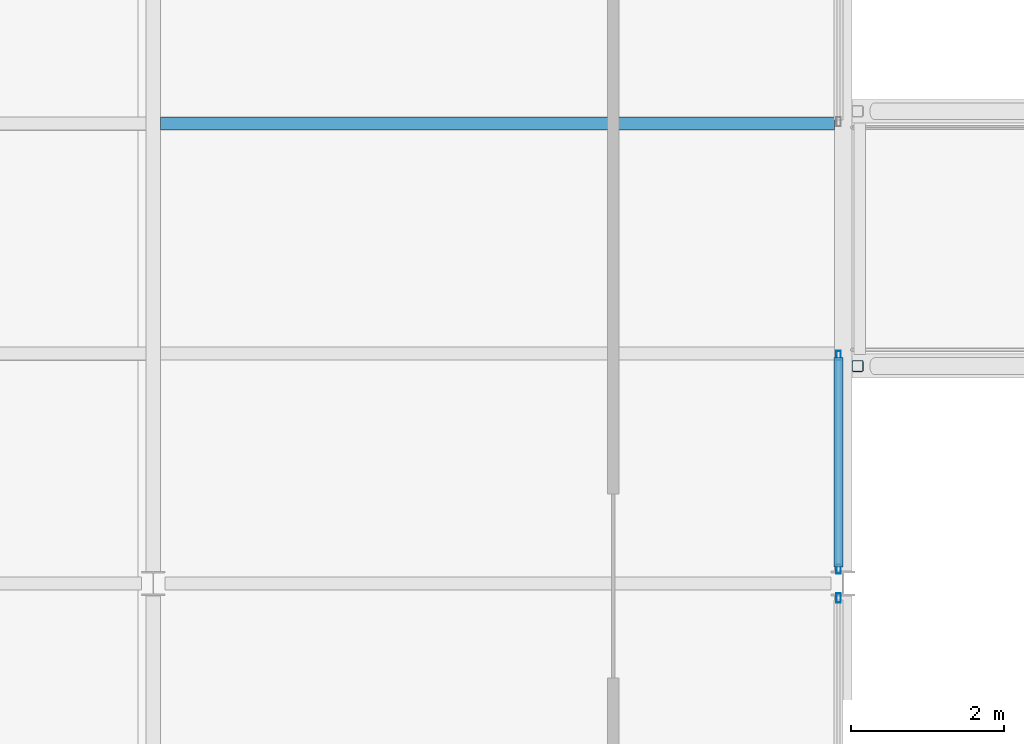
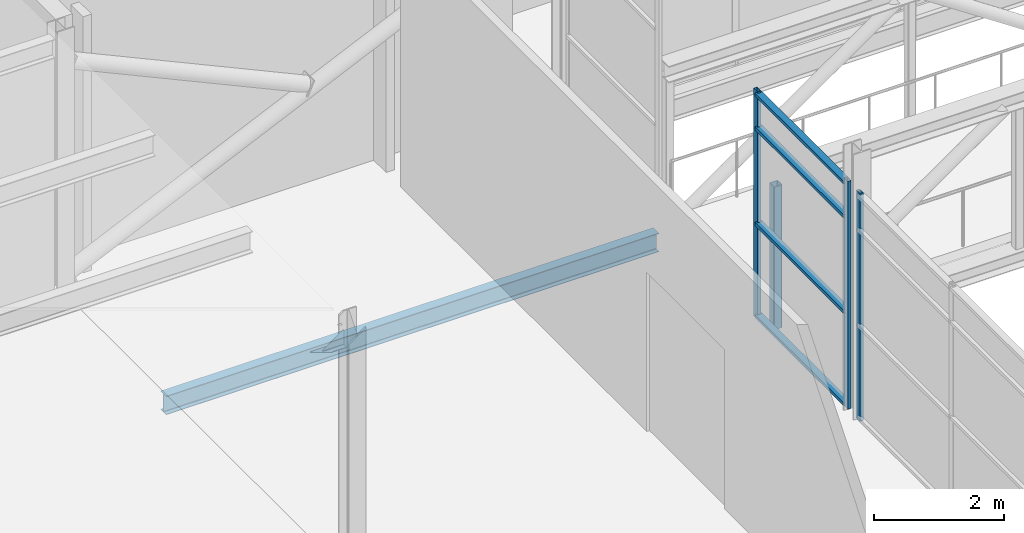
# One storey, part 46 of 115: 8 members, 1 beam, 2 elements without a shape of their own.
"""IFC4 building model written with IfcOpenShell, lengths in metres."""

from ifc_helpers import new_model, si_unit, direction, frame, origin, origin_2d, place, context, subcontext, project, spatial, hollow_rectangle, i_section, extrude, material, layer, layer_set, material_profile, profile_set, type_object, element, aggregate, save


model = new_model("IFC4")

# Units and contexts
model_context = context("Model", 3, precision=1e-05, world=origin(), true_north=direction((0.0, 1.0)))
body_context = subcontext(model_context, "Body", "Model", "MODEL_VIEW")
ifc_project = project(units=[si_unit("LENGTHUNIT", "METRE"), si_unit("AREAUNIT", "SQUARE_METRE"), si_unit("VOLUMEUNIT", "CUBIC_METRE"), si_unit("PLANEANGLEUNIT", "RADIAN"), si_unit("MASSUNIT", "GRAM", prefix="KILO")], contexts=[model_context])

# Site, building, storey
site_placement = place(None, origin())
site = spatial("IfcSite", under=ifc_project, at=site_placement, CompositionType="ELEMENT")
building_placement = place(site_placement, origin())
building = spatial("IfcBuilding", under=site, at=building_placement, Name="Shorebreak Coast Museum", CompositionType="ELEMENT")
storey_placement = place(building_placement, frame((0.0, 0.0, 11.0)))
storey = spatial("IfcBuildingStorey", under=building, at=storey_placement, Name="L02", CompositionType="ELEMENT", Elevation=11.0)

# Member
ifc_material_1 = material(Name="Steel Grade C450L0", Category="steel")
ifc_material_profile_1 = material_profile(ifc_material_1, hollow_rectangle(XDim=0.14990234375, YDim=0.14990234375, WallThickness=0.009033203125, InnerFilletRadius=0.013427734375, OuterFilletRadius=0.0224609375, at=origin_2d()), Name="150x150x9.0 SHS")
ifc_profile_set_1 = profile_set([ifc_material_profile_1], Name="Steel Grade C450L0")
member_type_1 = type_object("IfcMemberType", Name="Atrium bridge truss strut 150x150x9.0 SHS", PredefinedType="STRUT", material=ifc_profile_set_1)
member_1_placement = place(storey_placement, frame((63.189453125, 74.83740234375, -0.175048828125), z_axis=(0.0, 0.0, 1.0), x_axis=(1.0, 0.0, 0.0)))
element("IfcMember", 1, at=member_1_placement, inside=storey, type_object=member_type_1, Name="Atrium bridge truss BR1 side A strut V01", PredefinedType="STRUT", context=body_context, shape_type="SweptSolid", body=[
    extrude(hollow_rectangle(XDim=0.14990234375, YDim=0.14990234375, WallThickness=0.009033203125, InnerFilletRadius=0.013427734375, OuterFilletRadius=0.0224609375, at=origin_2d()), origin(), (0.0, 0.0, 1.0), 2.692138671875),
])

# Beam
ifc_material_2 = material(Name="Steel Grade 300", Category="steel")
ifc_material_profile_2 = material_profile(ifc_material_2, i_section(OverallWidth=0.1708984375, OverallDepth=0.35205078125, WebThickness=0.0068359375, FlangeThickness=0.009765625, FilletRadius=0.011474609375, at=origin_2d()), Name="360UB44.7")
ifc_profile_set_2 = profile_set([ifc_material_profile_2], Name="Steel Grade 300")
beam_type = type_object("IfcBeamType", Name="Floor joist 360UB44.7", PredefinedType="JOIST", material=ifc_profile_set_2)
beam_placement = place(storey_placement, frame((54.095458984375, 78.0, -0.35107421875), z_axis=(1.0, 0.0, 0.0), x_axis=(0.0, 1.0, 0.0)))
element("IfcBeam", 2, at=beam_placement, inside=storey, type_object=beam_type, Name="Floor joist L02 bay 7J at 6000 mm", PredefinedType="JOIST", context=body_context, shape_type="SweptSolid", body=[
    extrude(i_section(OverallWidth=0.1708984375, OverallDepth=0.35205078125, WebThickness=0.0068359375, FlangeThickness=0.009765625, FilletRadius=0.011474609375, at=origin_2d()), origin(), (0.0, 0.0, 1.0), 8.7900390625),
])

# Curtain wall, member
ifc_material_3 = material(Name="Aluminium", Category="aluminium")
ifc_layer = layer(ifc_material_3, 0.1201171875)
ifc_layer_set = layer_set([ifc_layer], Name="Aluminium")
curtain_wall_type = type_object("IfcCurtainWallType", Name="Atrium fire screen", PredefinedType="NOTDEFINED", material=ifc_layer_set)
curtain_wall_1_placement = place(storey_placement, origin())
curtain_wall_1 = element("IfcCurtainWall", 3, at=curtain_wall_1_placement, inside=storey, type_object=curtain_wall_type, Name="Atrium screen L02 W 27", PredefinedType="NOTDEFINED")
ifc_material_4 = material(Name="Aluminium", Category="aluminium")
ifc_material_profile_3 = material_profile(ifc_material_4, hollow_rectangle(XDim=0.06005859375, YDim=0.1201171875, WallThickness=0.00341796875, at=origin_2d()), Name="AL 120x60 RHS")
ifc_profile_set_3 = profile_set([ifc_material_profile_3], Name="Aluminium")
member_type_2 = type_object("IfcMemberType", Name="Screen mullion 50 x 120", PredefinedType="MULLION", material=ifc_profile_set_3)
member_2_placement = place(storey_placement, frame((62.93994140625, 71.811279296875, 0.0), z_axis=(0.0, 0.0, 1.0), x_axis=(-1.0, 0.0, 0.0)))
member_2 = element("IfcMember", 4, at=member_2_placement, type_object=member_type_2, Name="CW4 mullion 4", PredefinedType="MULLION", context=body_context, shape_type="SweptSolid", body=[
    extrude(hollow_rectangle(XDim=0.06005859375, YDim=0.1201171875, WallThickness=0.00341796875, at=origin_2d()), origin(), (0.0, 0.0, 1.0), 4.296875),
])
aggregate(curtain_wall_1, [member_2])

# Curtain wall, members
curtain_wall_2_placement = place(storey_placement, origin())
curtain_wall_2 = element("IfcCurtainWall", 5, at=curtain_wall_2_placement, inside=storey, type_object=curtain_wall_type, Name="Atrium screen L02 W 28", PredefinedType="NOTDEFINED")
member_3_placement = place(storey_placement, frame((62.93994140625, 72.188720703125, 0.0), z_axis=(0.0, 0.0, 1.0), x_axis=(-1.0, 0.0, 0.0)))
member_3 = element("IfcMember", 6, at=member_3_placement, type_object=member_type_2, Name="CW5 mullion 1", PredefinedType="MULLION", context=body_context, shape_type="SweptSolid", body=[
    extrude(hollow_rectangle(XDim=0.06005859375, YDim=0.1201171875, WallThickness=0.00341796875, at=origin_2d()), origin(), (0.0, 0.0, 1.0), 4.296875),
])
member_4_placement = place(storey_placement, frame((62.93994140625, 74.97509765625, 0.0), z_axis=(0.0, 0.0, 1.0), x_axis=(-1.0, 0.0, 0.0)))
member_4 = element("IfcMember", 7, at=member_4_placement, type_object=member_type_2, Name="CW5 mullion 2", PredefinedType="MULLION", context=body_context, shape_type="SweptSolid", body=[
    extrude(hollow_rectangle(XDim=0.06005859375, YDim=0.1201171875, WallThickness=0.00341796875, at=origin_2d()), origin(), (0.0, 0.0, 1.0), 4.296875),
])
ifc_material_5 = material(Name="Aluminium", Category="aluminium")
ifc_material_profile_4 = material_profile(ifc_material_5, hollow_rectangle(XDim=0.1201171875, YDim=0.06005859375, WallThickness=0.00341796875, at=origin_2d()), Name="AL 60x120 RHS")
ifc_profile_set_4 = profile_set([ifc_material_profile_4], Name="Aluminium")
member_type_3 = type_object("IfcMemberType", Name="Screen transom 120 x 50", PredefinedType="USERDEFINED", material=ifc_profile_set_4)
member_5_placement = place(storey_placement, frame((62.93994140625, 72.213623046875, 0.06005859375), z_axis=(0.0, 1.0, 0.0), x_axis=(-1.0, 0.0, 0.0)))
member_5 = element("IfcMember", 8, at=member_5_placement, type_object=member_type_3, Name="CW5 transom 1.1", ObjectType="TRANSOM", PredefinedType="USERDEFINED", context=body_context, shape_type="SweptSolid", body=[
    extrude(hollow_rectangle(XDim=0.1201171875, YDim=0.06005859375, WallThickness=0.00341796875, at=origin_2d()), origin(), (0.0, 0.0, 1.0), 2.736328125),
])
member_6_placement = place(storey_placement, frame((62.93994140625, 72.213623046875, 1.800048828125), z_axis=(0.0, 1.0, 0.0), x_axis=(-1.0, 0.0, 0.0)))
member_6 = element("IfcMember", 9, at=member_6_placement, type_object=member_type_3, Name="CW5 transom 1.2", ObjectType="TRANSOM", PredefinedType="USERDEFINED", context=body_context, shape_type="SweptSolid", body=[
    extrude(hollow_rectangle(XDim=0.1201171875, YDim=0.06005859375, WallThickness=0.00341796875, at=origin_2d()), origin(), (0.0, 0.0, 1.0), 2.736328125),
])
member_7_placement = place(storey_placement, frame((62.93994140625, 72.213623046875, 3.60009765625), z_axis=(0.0, 1.0, 0.0), x_axis=(-1.0, 0.0, 0.0)))
member_7 = element("IfcMember", 10, at=member_7_placement, type_object=member_type_3, Name="CW5 transom 1.3", ObjectType="TRANSOM", PredefinedType="USERDEFINED", context=body_context, shape_type="SweptSolid", body=[
    extrude(hollow_rectangle(XDim=0.1201171875, YDim=0.06005859375, WallThickness=0.00341796875, at=origin_2d()), origin(), (0.0, 0.0, 1.0), 2.736328125),
])
member_8_placement = place(storey_placement, frame((62.93994140625, 72.213623046875, 4.23681640625), z_axis=(0.0, 1.0, 0.0), x_axis=(-1.0, 0.0, 0.0)))
member_8 = element("IfcMember", 11, at=member_8_placement, type_object=member_type_3, Name="CW5 transom 1.4", ObjectType="TRANSOM", PredefinedType="USERDEFINED", context=body_context, shape_type="SweptSolid", body=[
    extrude(hollow_rectangle(XDim=0.1201171875, YDim=0.06005859375, WallThickness=0.00341796875, at=origin_2d()), origin(), (0.0, 0.0, 1.0), 2.736328125),
])
aggregate(curtain_wall_2, [member_3, member_4, member_5, member_6, member_7, member_8])

save(model, "model.ifc")
